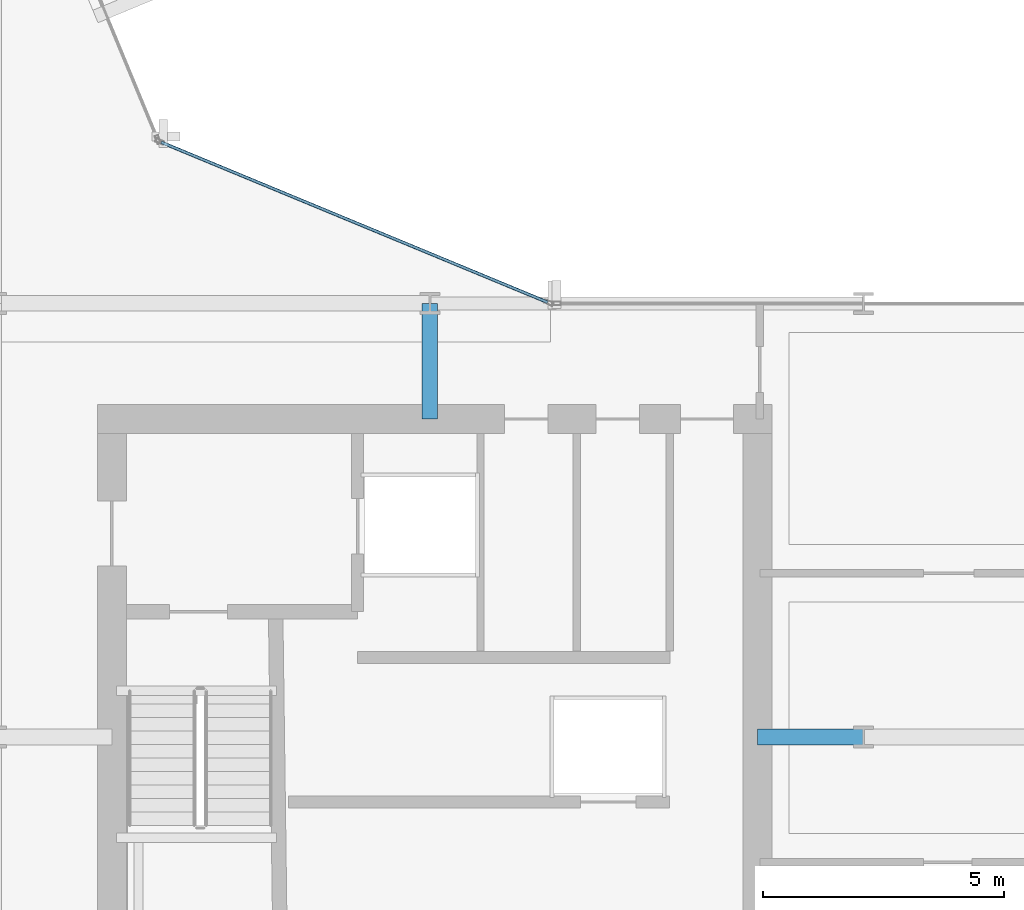
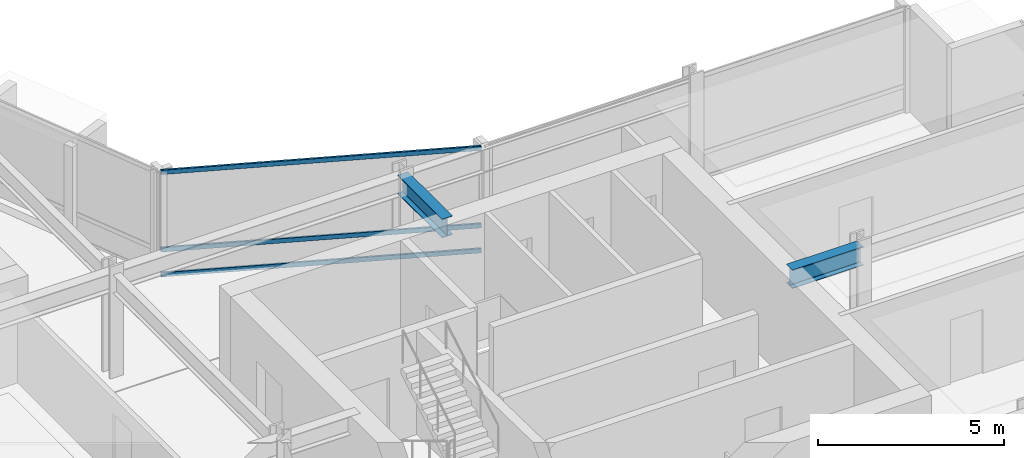
# One storey, part 12 of 28: 3 members, 2 beams, 1 element without a shape of its own.
"""IFC4 building model written with IfcOpenShell, lengths in metres."""

from ifc_helpers import new_model, si_unit, direction, frame, origin, origin_2d, place, context, subcontext, project, spatial, hollow_rectangle, i_section, extrude, material, layer, layer_set, material_profile, profile_set, type_object, element, aggregate, save


model = new_model("IFC4")

# Units and contexts
model_context = context("Model", 3, precision=1e-05, world=origin(), true_north=direction((0.0, 1.0)))
body_context = subcontext(model_context, "Body", "Model", "MODEL_VIEW")
ifc_project = project(units=[si_unit("LENGTHUNIT", "METRE"), si_unit("AREAUNIT", "SQUARE_METRE"), si_unit("VOLUMEUNIT", "CUBIC_METRE"), si_unit("PLANEANGLEUNIT", "RADIAN"), si_unit("MASSUNIT", "GRAM", prefix="KILO")], contexts=[model_context])

# Site, building, storey
site_placement = place(None, origin())
site = spatial("IfcSite", under=ifc_project, at=site_placement, CompositionType="ELEMENT")
building_placement = place(site_placement, origin())
building = spatial("IfcBuilding", under=site, at=building_placement, Name="Solvaryn Broadcast Tower", CompositionType="ELEMENT")
storey_placement = place(building_placement, frame((0.0, 0.0, 110.0)))
storey = spatial("IfcBuildingStorey", under=building, at=storey_placement, Name="L26", CompositionType="ELEMENT", Elevation=110.0)

# Beams
ifc_material_1 = material(Name="Steel ASTM A992 Grade 50", Category="steel")
ifc_material_profile_1 = material_profile(ifc_material_1, i_section(OverallWidth=0.323974609375, OverallDepth=0.611083984375, WebThickness=0.0126953125, FlangeThickness=0.01904296875, FilletRadius=0.014892578125, at=origin_2d()))
ifc_profile_set_1 = profile_set([ifc_material_profile_1], Name="Steel ASTM A992 Grade 50")
beam_type = type_object("IfcBeamType", Name="BM-B1-W24X104", PredefinedType="BEAM", material=ifc_profile_set_1)
beam_1_placement = place(storey_placement, frame((36.0, 24.60009765625, 3.114501953125), z_axis=(0.0, 1.0, 0.0), x_axis=(-1.0, 0.0, 0.0)))
element("IfcBeam", 1, at=beam_1_placement, inside=storey, type_object=beam_type, Name="L26 Core Tie Beam CTE2", PredefinedType="BEAM", context=body_context, shape_type="SweptSolid", body=[
    extrude(i_section(OverallWidth=0.323974609375, OverallDepth=0.611083984375, WebThickness=0.0126953125, FlangeThickness=0.01904296875, FilletRadius=0.014892578125, at=origin_2d()), origin(), (0.0, 0.0, 1.0), 2.39990234375),
])
beam_2_placement = place(storey_placement, frame((42.800048828125, 18.0, 3.114501953125), z_axis=(1.0, 0.0, 0.0), x_axis=(0.0, 1.0, 0.0)))
element("IfcBeam", 2, at=beam_2_placement, inside=storey, type_object=beam_type, Name="L26 Core Tie Beam CTE3", PredefinedType="BEAM", context=body_context, shape_type="SweptSolid", body=[
    extrude(i_section(OverallWidth=0.323974609375, OverallDepth=0.611083984375, WebThickness=0.0126953125, FlangeThickness=0.01904296875, FilletRadius=0.014892578125, at=origin_2d()), origin(), (0.0, 0.0, 1.0), 2.199951171875),
])

# Curtain wall, members
ifc_material_2 = material(Name="Aluminium and Terracotta Unitised Curtain Wall", Category="masonry")
ifc_layer = layer(ifc_material_2, 0.199951171875)
ifc_layer_set = layer_set([ifc_layer], Name="CW-SYS2-LOWMID")
curtain_wall_type = type_object("IfcCurtainWallType", Name="CW-SYS2-LOWMID", PredefinedType="NOTDEFINED", material=ifc_layer_set)
curtain_wall_placement = place(storey_placement, origin())
curtain_wall = element("IfcCurtainWall", 3, at=curtain_wall_placement, inside=storey, type_object=curtain_wall_type, Name="L26 Curtain Wall CN1", PredefinedType="NOTDEFINED")
ifc_material_3 = material(Name="Anodised Aluminium 6063-T6", Category="aluminium")
ifc_material_profile_2 = material_profile(ifc_material_3, hollow_rectangle(XDim=0.06494140625, YDim=0.14990234375, WallThickness=0.00390625, InnerFilletRadius=0.00390625, OuterFilletRadius=0.008056640625, at=origin_2d()))
ifc_profile_set_2 = profile_set([ifc_material_profile_2], Name="Anodised Aluminium 6063-T6")
member_type = type_object("IfcMemberType", Name="CW-TRN-150", PredefinedType="USERDEFINED", material=ifc_profile_set_2)
member_1_placement = place(storey_placement, frame((38.444580078125, 27.02294921875, 0.030029296875), z_axis=(-0.923899282177, 0.382635748975, 0.0), x_axis=(-0.382635748975, -0.923899282177, 0.0)))
member_1 = element("IfcMember", 4, at=member_1_placement, type_object=member_type, Name="CWS2 transom 1.1", ObjectType="TRANSOM", PredefinedType="USERDEFINED", context=body_context, shape_type="SweptSolid", body=[
    extrude(hollow_rectangle(XDim=0.06494140625, YDim=0.14990234375, WallThickness=0.00390625, InnerFilletRadius=0.00390625, OuterFilletRadius=0.008056640625, at=origin_2d()), origin(), (0.0, 0.0, 1.0), 8.681884765625),
])
member_2_placement = place(storey_placement, frame((38.444580078125, 27.02294921875, 0.85009765625), z_axis=(-0.923899282177, 0.382635748975, 0.0), x_axis=(-0.382635748975, -0.923899282177, 0.0)))
member_2 = element("IfcMember", 5, at=member_2_placement, type_object=member_type, Name="CWS2 transom 1.2", ObjectType="TRANSOM", PredefinedType="USERDEFINED", context=body_context, shape_type="SweptSolid", body=[
    extrude(hollow_rectangle(XDim=0.06494140625, YDim=0.14990234375, WallThickness=0.00390625, InnerFilletRadius=0.00390625, OuterFilletRadius=0.008056640625, at=origin_2d()), origin(), (0.0, 0.0, 1.0), 8.681884765625),
])
member_3_placement = place(storey_placement, frame((38.444580078125, 27.02294921875, 3.389892578125), z_axis=(-0.923899282177, 0.382635748975, 0.0), x_axis=(-0.382635748975, -0.923899282177, 0.0)))
member_3 = element("IfcMember", 6, at=member_3_placement, type_object=member_type, Name="CWS2 transom 1.3", ObjectType="TRANSOM", PredefinedType="USERDEFINED", context=body_context, shape_type="SweptSolid", body=[
    extrude(hollow_rectangle(XDim=0.06494140625, YDim=0.14990234375, WallThickness=0.00390625, InnerFilletRadius=0.00390625, OuterFilletRadius=0.008056640625, at=origin_2d()), origin(), (0.0, 0.0, 1.0), 8.681884765625),
])
aggregate(curtain_wall, [member_1, member_2, member_3])

save(model, "model.ifc")
